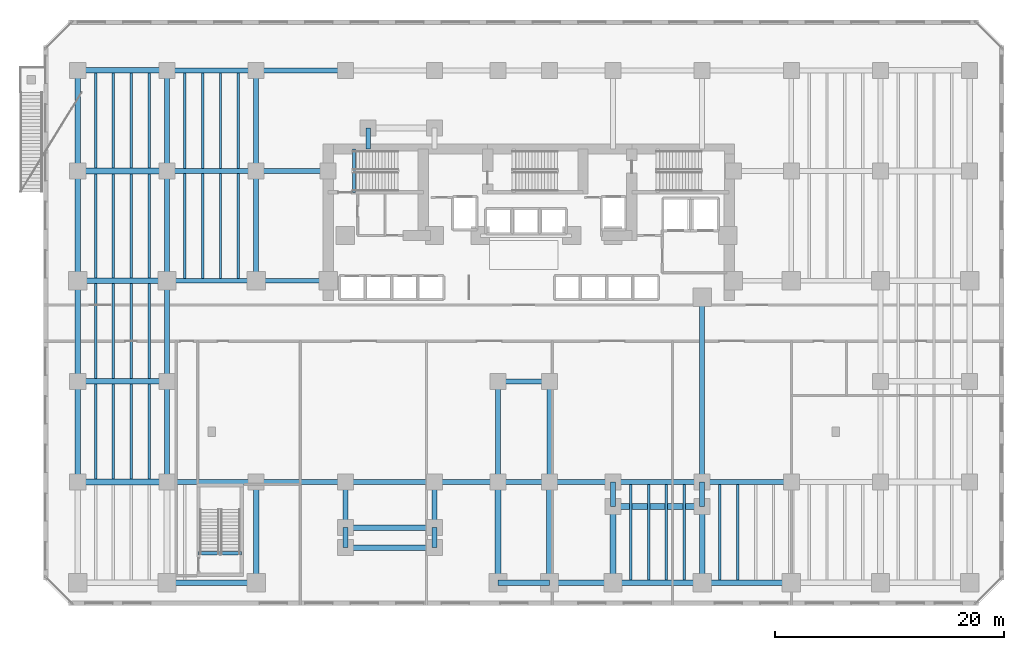
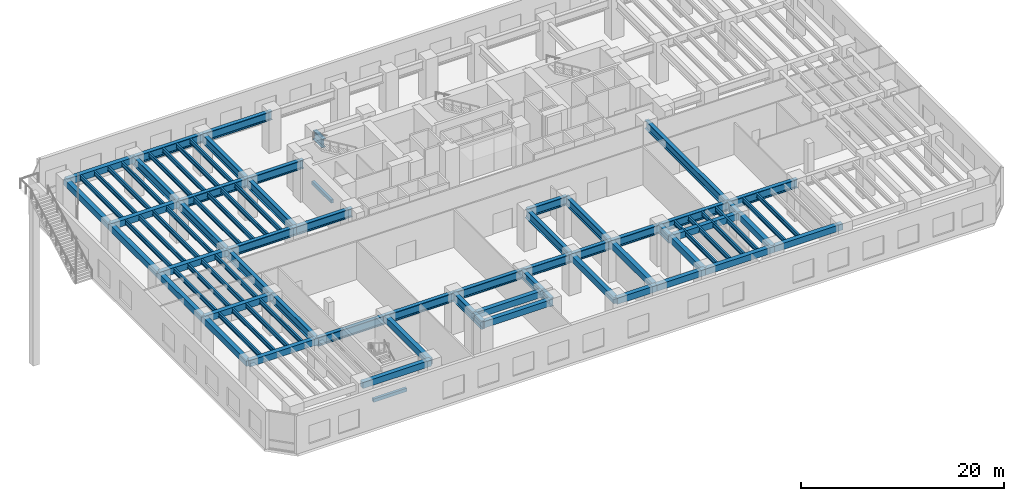
# One storey, part 3 of 20: 85 beams.
"""IFC4 building model written with IfcOpenShell, lengths in metres."""

from ifc_helpers import new_model, si_unit, direction, frame, origin, origin_2d, place, context, subcontext, project, spatial, rectangle, i_section, extrude, material, material_profile, profile_set, type_object, element, save


model = new_model("IFC4")

# Units and contexts
model_context = context("Model", 3, precision=1e-05, world=origin(), true_north=direction((0.0, 1.0)))
body_context = subcontext(model_context, "Body", "Model", "MODEL_VIEW")
ifc_project = project(units=[si_unit("LENGTHUNIT", "METRE"), si_unit("AREAUNIT", "SQUARE_METRE"), si_unit("VOLUMEUNIT", "CUBIC_METRE"), si_unit("PLANEANGLEUNIT", "RADIAN"), si_unit("MASSUNIT", "GRAM", prefix="KILO")], contexts=[model_context])

# Site, building, storey
site_placement = place(None, origin())
site = spatial("IfcSite", under=ifc_project, at=site_placement, CompositionType="ELEMENT")
building_placement = place(site_placement, origin())
building = spatial("IfcBuilding", under=site, at=building_placement, Name="Kestravale Grand Hotel", CompositionType="ELEMENT")
storey_placement = place(building_placement, frame((0.0, 0.0, 15.800048828125)))
storey = spatial("IfcBuildingStorey", under=building, at=storey_placement, Name="L03", CompositionType="ELEMENT", Elevation=15.800048828125)

# Beams
ifc_material_1 = material(Name="Steel ASTM A992 Grade 50", Category="steel")
ifc_material_profile_1 = material_profile(ifc_material_1, i_section(OverallWidth=0.2099609375, OverallDepth=0.535888671875, WebThickness=0.010986328125, FlangeThickness=0.017333984375, FilletRadius=0.017578125, at=origin_2d()))
ifc_profile_set_1 = profile_set([ifc_material_profile_1], Name="Steel ASTM A992 Grade 50")
beam_type_1 = type_object("IfcBeamType", Name="B-FLR-JST21", PredefinedType="JOIST", material=ifc_profile_set_1)
for number, where, z_axis, x_axis, name in (
    (1, (1.56005859375, 11.449951171875, 4.31201171875), (0.0, 1.0, 0.0), (-1.0, 0.0, 0.0), "L03 floor joist 1-2/C-D #1"),
    (2, (3.1201171875, 11.449951171875, 4.31201171875), (0.0, 1.0, 0.0), (-1.0, 0.0, 0.0), "L03 floor joist 1-2/C-D #2"),
    (3, (4.679931640625, 11.449951171875, 4.31201171875), (0.0, 1.0, 0.0), (-1.0, 0.0, 0.0), "L03 floor joist 1-2/C-D #3"),
    (4, (6.239990234375, 11.449951171875, 4.31201171875), (0.0, 1.0, 0.0), (-1.0, 0.0, 0.0), "L03 floor joist 1-2/C-D #4"),
    (5, (1.56005859375, 20.25, 4.31201171875), (0.0, 1.0, 0.0), (-1.0, 0.0, 0.0), "L03 floor joist 1-2/D-E #1"),
    (6, (3.1201171875, 20.25, 4.31201171875), (0.0, 1.0, 0.0), (-1.0, 0.0, 0.0), "L03 floor joist 1-2/D-E #2"),
    (7, (4.679931640625, 20.25, 4.31201171875), (0.0, 1.0, 0.0), (-1.0, 0.0, 0.0), "L03 floor joist 1-2/D-E #3"),
    (8, (6.239990234375, 20.25, 4.31201171875), (0.0, 1.0, 0.0), (-1.0, 0.0, 0.0), "L03 floor joist 1-2/D-E #4"),
):
    element("IfcBeam", number, at=place(storey_placement, frame(where, z_axis=z_axis, x_axis=x_axis)), inside=storey, type_object=beam_type_1, Name=name, PredefinedType="JOIST", context=body_context, shape_type="SweptSolid", body=[
        extrude(i_section(OverallWidth=0.2099609375, OverallDepth=0.535888671875, WebThickness=0.010986328125, FlangeThickness=0.017333984375, FilletRadius=0.017578125, at=origin_2d()), origin(), (0.0, 0.0, 1.0), 8.300048828125),
    ])
for number, where, z_axis, x_axis, name in (
    (9, (1.56005859375, 29.050048828125, 4.31201171875), (0.0, 1.0, 0.0), (-1.0, 0.0, 0.0), "L03 floor joist 1-2/E-F #1"),
    (10, (3.1201171875, 29.050048828125, 4.31201171875), (0.0, 1.0, 0.0), (-1.0, 0.0, 0.0), "L03 floor joist 1-2/E-F #2"),
    (11, (4.679931640625, 29.050048828125, 4.31201171875), (0.0, 1.0, 0.0), (-1.0, 0.0, 0.0), "L03 floor joist 1-2/E-F #3"),
    (12, (6.239990234375, 29.050048828125, 4.31201171875), (0.0, 1.0, 0.0), (-1.0, 0.0, 0.0), "L03 floor joist 1-2/E-F #4"),
):
    element("IfcBeam", number, at=place(storey_placement, frame(where, z_axis=z_axis, x_axis=x_axis)), inside=storey, type_object=beam_type_1, Name=name, PredefinedType="JOIST", context=body_context, shape_type="SweptSolid", body=[
        extrude(i_section(OverallWidth=0.2099609375, OverallDepth=0.535888671875, WebThickness=0.010986328125, FlangeThickness=0.017333984375, FilletRadius=0.017578125, at=origin_2d()), origin(), (0.0, 0.0, 1.0), 9.099853515625),
    ])
for number, where, z_axis, x_axis, name in (
    (13, (1.56005859375, 38.64990234375, 4.31201171875), (0.0, 1.0, 0.0), (-1.0, 0.0, 0.0), "L03 floor joist 1-2/F-G #1"),
    (14, (3.1201171875, 38.64990234375, 4.31201171875), (0.0, 1.0, 0.0), (-1.0, 0.0, 0.0), "L03 floor joist 1-2/F-G #2"),
    (15, (4.679931640625, 38.64990234375, 4.31201171875), (0.0, 1.0, 0.0), (-1.0, 0.0, 0.0), "L03 floor joist 1-2/F-G #3"),
    (16, (6.239990234375, 38.64990234375, 4.31201171875), (0.0, 1.0, 0.0), (-1.0, 0.0, 0.0), "L03 floor joist 1-2/F-G #4"),
):
    element("IfcBeam", number, at=place(storey_placement, frame(where, z_axis=z_axis, x_axis=x_axis)), inside=storey, type_object=beam_type_1, Name=name, PredefinedType="JOIST", context=body_context, shape_type="SweptSolid", body=[
        extrude(i_section(OverallWidth=0.2099609375, OverallDepth=0.535888671875, WebThickness=0.010986328125, FlangeThickness=0.017333984375, FilletRadius=0.017578125, at=origin_2d()), origin(), (0.0, 0.0, 1.0), 8.300048828125),
    ])
for number, where, z_axis, x_axis, name in (
    (17, (9.360107421875, 29.013427734375, 4.31201171875), (0.0, 1.0, 0.0), (-1.0, 0.0, 0.0), "L03 floor joist 2-3/E-F #1"),
    (18, (10.919921875, 29.013427734375, 4.31201171875), (0.0, 1.0, 0.0), (-1.0, 0.0, 0.0), "L03 floor joist 2-3/E-F #2"),
    (19, (12.47998046875, 29.013427734375, 4.31201171875), (0.0, 1.0, 0.0), (-1.0, 0.0, 0.0), "L03 floor joist 2-3/E-F #3"),
    (20, (14.0400390625, 29.013427734375, 4.31201171875), (0.0, 1.0, 0.0), (-1.0, 0.0, 0.0), "L03 floor joist 2-3/E-F #4"),
):
    element("IfcBeam", number, at=place(storey_placement, frame(where, z_axis=z_axis, x_axis=x_axis)), inside=storey, type_object=beam_type_1, Name=name, PredefinedType="JOIST", context=body_context, shape_type="SweptSolid", body=[
        extrude(i_section(OverallWidth=0.2099609375, OverallDepth=0.535888671875, WebThickness=0.010986328125, FlangeThickness=0.017333984375, FilletRadius=0.017578125, at=origin_2d()), origin(), (0.0, 0.0, 1.0), 9.173095703125),
    ])
for number, where, z_axis, x_axis, name in (
    (21, (9.360107421875, 38.613525390625, 4.31201171875), (0.0, 1.0, 0.0), (-1.0, 0.0, 0.0), "L03 floor joist 2-3/F-G #1"),
    (22, (10.919921875, 38.613525390625, 4.31201171875), (0.0, 1.0, 0.0), (-1.0, 0.0, 0.0), "L03 floor joist 2-3/F-G #2"),
    (23, (12.47998046875, 38.613525390625, 4.31201171875), (0.0, 1.0, 0.0), (-1.0, 0.0, 0.0), "L03 floor joist 2-3/F-G #3"),
    (24, (14.0400390625, 38.613525390625, 4.31201171875), (0.0, 1.0, 0.0), (-1.0, 0.0, 0.0), "L03 floor joist 2-3/F-G #4"),
):
    element("IfcBeam", number, at=place(storey_placement, frame(where, z_axis=z_axis, x_axis=x_axis)), inside=storey, type_object=beam_type_1, Name=name, PredefinedType="JOIST", context=body_context, shape_type="SweptSolid", body=[
        extrude(i_section(OverallWidth=0.2099609375, OverallDepth=0.535888671875, WebThickness=0.010986328125, FlangeThickness=0.017333984375, FilletRadius=0.017578125, at=origin_2d()), origin(), (0.0, 0.0, 1.0), 8.373046875),
    ])
for number, where, z_axis, x_axis, name in (
    (25, (48.360107421875, 2.64990234375, 4.31201171875), (0.0, 1.0, 0.0), (-1.0, 0.0, 0.0), "L03 floor joist 8-9/B-C #1"),
    (26, (49.919921875, 2.64990234375, 4.31201171875), (0.0, 1.0, 0.0), (-1.0, 0.0, 0.0), "L03 floor joist 8-9/B-C #2"),
    (27, (51.47998046875, 2.64990234375, 4.31201171875), (0.0, 1.0, 0.0), (-1.0, 0.0, 0.0), "L03 floor joist 8-9/B-C #3"),
    (28, (53.0400390625, 2.64990234375, 4.31201171875), (0.0, 1.0, 0.0), (-1.0, 0.0, 0.0), "L03 floor joist 8-9/B-C #4"),
    (29, (56.159912109375, 2.64990234375, 4.31201171875), (0.0, 1.0, 0.0), (-1.0, 0.0, 0.0), "L03 floor joist 9-10/B-C #1"),
    (30, (57.719970703125, 2.64990234375, 4.31201171875), (0.0, 1.0, 0.0), (-1.0, 0.0, 0.0), "L03 floor joist 9-10/B-C #2"),
):
    element("IfcBeam", number, at=place(storey_placement, frame(where, z_axis=z_axis, x_axis=x_axis)), inside=storey, type_object=beam_type_1, Name=name, PredefinedType="JOIST", context=body_context, shape_type="SweptSolid", body=[
        extrude(i_section(OverallWidth=0.2099609375, OverallDepth=0.535888671875, WebThickness=0.010986328125, FlangeThickness=0.017333984375, FilletRadius=0.017578125, at=origin_2d()), origin(), (0.0, 0.0, 1.0), 8.336669921875),
    ])
ifc_material_2 = material(Name="Concrete f'c 45 MPa", Category="concrete")
ifc_material_profile_2 = material_profile(ifc_material_2, rectangle(XDim=0.300048828125, YDim=0.39990234375, at=origin_2d()))
ifc_profile_set_2 = profile_set([ifc_material_profile_2], Name="Concrete f'c 45 MPa")
beam_type_2 = type_object("IfcBeamType", Name="B-FLR-LNT400", PredefinedType="LINTEL", material=ifc_profile_set_2)
beam_1_placement = place(storey_placement, frame((24.159912109375, 36.52001953125, -0.199951171875), z_axis=(0.0, 1.0, 0.0), x_axis=(-1.0, 0.0, 0.0)))
element("IfcBeam", 31, at=beam_1_placement, inside=storey, type_object=beam_type_2, Name="L03 ST1 flight bottom header beam", PredefinedType="LINTEL", context=body_context, shape_type="SweptSolid", body=[
    extrude(rectangle(XDim=0.300048828125, YDim=0.39990234375, at=origin_2d()), origin(), (0.0, 0.0, 1.0), 3.800048828125),
])
beam_2_placement = place(storey_placement, frame((10.56005859375, 4.9599609375, -0.199951171875), z_axis=(1.0, 0.0, 0.0), x_axis=(0.0, 1.0, 0.0)))
element("IfcBeam", 32, at=beam_2_placement, inside=storey, type_object=beam_type_2, Name="L03 ST4 flight bottom header beam", PredefinedType="LINTEL", context=body_context, shape_type="SweptSolid", body=[
    extrude(rectangle(XDim=0.300048828125, YDim=0.39990234375, at=origin_2d()), origin(), (0.0, 0.0, 1.0), 3.77001953125),
])
ifc_material_3 = material(Name="Concrete f'c 45 MPa", Category="concrete")
ifc_material_profile_3 = material_profile(ifc_material_3, rectangle(XDim=0.5, YDim=0.75, at=origin_2d()))
ifc_profile_set_3 = profile_set([ifc_material_profile_3], Name="Concrete f'c 45 MPa")
beam_type_3 = type_object("IfcBeamType", Name="B-FLR-RC750", PredefinedType="SPANDREL", material=ifc_profile_set_3)
beam_3_placement = place(storey_placement, frame((7.800048828125, 2.39990234375, 4.204833984375), z_axis=(1.0, 0.0, 0.0), x_axis=(0.0, 1.0, 0.0)))
element("IfcBeam", 33, at=beam_3_placement, inside=storey, type_object=beam_type_3, Name="L03 spandrel B:2-3", PredefinedType="SPANDREL", context=body_context, shape_type="SweptSolid", body=[
    extrude(rectangle(XDim=0.5, YDim=0.75, at=origin_2d()), origin(), (0.0, 0.0, 1.0), 7.800048828125),
])
beam_4_placement = place(storey_placement, frame((36.75, 2.39990234375, 4.204833984375), z_axis=(1.0, 0.0, 0.0), x_axis=(0.0, 1.0, 0.0)))
element("IfcBeam", 34, at=beam_4_placement, inside=storey, type_object=beam_type_3, Name="L03 spandrel B:6-7", PredefinedType="SPANDREL", context=body_context, shape_type="SweptSolid", body=[
    extrude(rectangle(XDim=0.5, YDim=0.75, at=origin_2d()), origin(), (0.0, 0.0, 1.0), 4.5),
])
beam_5_placement = place(storey_placement, frame((41.25, 2.39990234375, 4.204833984375), z_axis=(1.0, 0.0, 0.0), x_axis=(0.0, 1.0, 0.0)))
element("IfcBeam", 35, at=beam_5_placement, inside=storey, type_object=beam_type_3, Name="L03 spandrel B:7-8", PredefinedType="SPANDREL", context=body_context, shape_type="SweptSolid", body=[
    extrude(rectangle(XDim=0.5, YDim=0.75, at=origin_2d()), origin(), (0.0, 0.0, 1.0), 5.550048828125),
])
beam_6_placement = place(storey_placement, frame((46.800048828125, 2.39990234375, 4.204833984375), z_axis=(1.0, 0.0, 0.0), x_axis=(0.0, 1.0, 0.0)))
element("IfcBeam", 36, at=beam_6_placement, inside=storey, type_object=beam_type_3, Name="L03 spandrel B:8-9", PredefinedType="SPANDREL", context=body_context, shape_type="SweptSolid", body=[
    extrude(rectangle(XDim=0.5, YDim=0.75, at=origin_2d()), origin(), (0.0, 0.0, 1.0), 7.800048828125),
])
beam_7_placement = place(storey_placement, frame((54.60009765625, 2.39990234375, 4.204833984375), z_axis=(1.0, 0.0, 0.0), x_axis=(0.0, 1.0, 0.0)))
element("IfcBeam", 37, at=beam_7_placement, inside=storey, type_object=beam_type_3, Name="L03 spandrel B:9-10", PredefinedType="SPANDREL", context=body_context, shape_type="SweptSolid", body=[
    extrude(rectangle(XDim=0.5, YDim=0.75, at=origin_2d()), origin(), (0.0, 0.0, 1.0), 7.7998046875),
])
for number, where, z_axis, x_axis, name in (
    (38, (0.0, 11.199951171875, 4.204833984375), (1.0, 0.0, 0.0), (0.0, 1.0, 0.0), "L03 spandrel C:1-2"),
    (39, (0.0, 20.0, 4.204833984375), (1.0, 0.0, 0.0), (0.0, 1.0, 0.0), "L03 spandrel D:1-2"),
    (40, (0.0, 28.800048828125, 4.204833984375), (1.0, 0.0, 0.0), (0.0, 1.0, 0.0), "L03 spandrel E:1-2"),
    (41, (0.0, 38.39990234375, 4.204833984375), (1.0, 0.0, 0.0), (0.0, 1.0, 0.0), "L03 spandrel F:1-2"),
    (42, (0.0, 47.199951171875, 4.204833984375), (1.0, 0.0, 0.0), (0.0, 1.0, 0.0), "L03 spandrel G:1-2"),
    (43, (23.39990234375, 5.449951171875, 4.204833984375), (1.0, 0.0, 0.0), (0.0, 1.0, 0.0), "L03 perimeter tie spandrel B1S:4-5"),
    (44, (46.800048828125, 9.050048828125, 4.204833984375), (1.0, 0.0, 0.0), (0.0, 1.0, 0.0), "L03 perimeter tie spandrel B1E:8-9"),
    (45, (23.39990234375, 7.199951171875, 4.204833984375), (1.0, 0.0, 0.0), (0.0, 1.0, 0.0), "L03 perimeter tie spandrel BS:4-5"),
):
    element("IfcBeam", number, at=place(storey_placement, frame(where, z_axis=z_axis, x_axis=x_axis)), inside=storey, type_object=beam_type_3, Name=name, PredefinedType="SPANDREL", context=body_context, shape_type="SweptSolid", body=[
        extrude(rectangle(XDim=0.5, YDim=0.75, at=origin_2d()), origin(), (0.0, 0.0, 1.0), 7.800048828125),
    ])
for number, where, z_axis, x_axis, name in (
    (46, (0.0, 11.199951171875, 4.204833984375), (0.0, 1.0, 0.0), (-1.0, 0.0, 0.0), "L03 spandrel 1:C-D"),
    (47, (0.0, 20.0, 4.204833984375), (0.0, 1.0, 0.0), (-1.0, 0.0, 0.0), "L03 spandrel 1:D-E"),
):
    element("IfcBeam", number, at=place(storey_placement, frame(where, z_axis=z_axis, x_axis=x_axis)), inside=storey, type_object=beam_type_3, Name=name, PredefinedType="SPANDREL", context=body_context, shape_type="SweptSolid", body=[
        extrude(rectangle(XDim=0.5, YDim=0.75, at=origin_2d()), origin(), (0.0, 0.0, 1.0), 8.800048828125),
    ])
beam_8_placement = place(storey_placement, frame((0.0, 28.800048828125, 4.204833984375), z_axis=(0.0, 1.0, 0.0), x_axis=(-1.0, 0.0, 0.0)))
element("IfcBeam", 48, at=beam_8_placement, inside=storey, type_object=beam_type_3, Name="L03 spandrel 1:E-F", PredefinedType="SPANDREL", context=body_context, shape_type="SweptSolid", body=[
    extrude(rectangle(XDim=0.5, YDim=0.75, at=origin_2d()), origin(), (0.0, 0.0, 1.0), 9.599853515625),
])
for number, where, z_axis, x_axis, name in (
    (49, (0.0, 38.39990234375, 4.204833984375), (0.0, 1.0, 0.0), (-1.0, 0.0, 0.0), "L03 spandrel 1:F-G"),
    (50, (15.60009765625, 2.39990234375, 4.204833984375), (0.0, 1.0, 0.0), (-1.0, 0.0, 0.0), "L03 spandrel 3:B-C"),
    (51, (36.75, 2.39990234375, 4.204833984375), (0.0, 1.0, 0.0), (-1.0, 0.0, 0.0), "L03 spandrel 6:B-C"),
    (52, (41.25, 2.39990234375, 4.204833984375), (0.0, 1.0, 0.0), (-1.0, 0.0, 0.0), "L03 spandrel 7:B-C"),
):
    element("IfcBeam", number, at=place(storey_placement, frame(where, z_axis=z_axis, x_axis=x_axis)), inside=storey, type_object=beam_type_3, Name=name, PredefinedType="SPANDREL", context=body_context, shape_type="SweptSolid", body=[
        extrude(rectangle(XDim=0.5, YDim=0.75, at=origin_2d()), origin(), (0.0, 0.0, 1.0), 8.800048828125),
    ])
for number, where, z_axis, x_axis, name in (
    (53, (46.800048828125, 2.39990234375, 4.204833984375), (0.0, 1.0, 0.0), (-1.0, 0.0, 0.0), "L03 spandrel 8:B-B1E"),
    (54, (54.60009765625, 2.39990234375, 4.204833984375), (0.0, 1.0, 0.0), (-1.0, 0.0, 0.0), "L03 spandrel 9:B-B1E"),
):
    element("IfcBeam", number, at=place(storey_placement, frame(where, z_axis=z_axis, x_axis=x_axis)), inside=storey, type_object=beam_type_3, Name=name, PredefinedType="SPANDREL", context=body_context, shape_type="SweptSolid", body=[
        extrude(rectangle(XDim=0.5, YDim=0.75, at=origin_2d()), origin(), (0.0, 0.0, 1.0), 6.650146484375),
    ])
ifc_material_4 = material(Name="Steel ASTM A992 Grade 50", Category="steel")
ifc_material_profile_4 = material_profile(ifc_material_4, i_section(OverallWidth=0.427001953125, OverallDepth=1.0400390625, WebThickness=0.031005859375, FlangeThickness=0.055908203125, FilletRadius=0.028076171875, at=origin_2d()))
ifc_profile_set_4 = profile_set([ifc_material_profile_4], Name="Steel ASTM A992 Grade 50")
beam_type_4 = type_object("IfcBeamType", Name="B-GRD-W40", PredefinedType="BEAM", material=ifc_profile_set_4)
beam_9_placement = place(storey_placement, frame((7.800048828125, 11.199951171875, 4.06005859375), z_axis=(1.0, 0.0, 0.0), x_axis=(0.0, 1.0, 0.0)))
element("IfcBeam", 55, at=beam_9_placement, inside=storey, type_object=beam_type_4, Name="L03 girder C:2-3", PredefinedType="BEAM", context=body_context, shape_type="SweptSolid", body=[
    extrude(i_section(OverallWidth=0.427001953125, OverallDepth=1.0400390625, WebThickness=0.031005859375, FlangeThickness=0.055908203125, FilletRadius=0.028076171875, at=origin_2d()), origin(), (0.0, 0.0, 1.0), 7.800048828125),
])
beam_10_placement = place(storey_placement, frame((15.60009765625, 11.199951171875, 4.06005859375), z_axis=(1.0, 0.0, 0.0), x_axis=(0.0, 1.0, 0.0)))
element("IfcBeam", 56, at=beam_10_placement, inside=storey, type_object=beam_type_4, Name="L03 girder C:3-4", PredefinedType="BEAM", context=body_context, shape_type="SweptSolid", body=[
    extrude(i_section(OverallWidth=0.427001953125, OverallDepth=1.0400390625, WebThickness=0.031005859375, FlangeThickness=0.055908203125, FilletRadius=0.028076171875, at=origin_2d()), origin(), (0.0, 0.0, 1.0), 7.7998046875),
])
beam_11_placement = place(storey_placement, frame((23.39990234375, 11.199951171875, 4.06005859375), z_axis=(1.0, 0.0, 0.0), x_axis=(0.0, 1.0, 0.0)))
element("IfcBeam", 57, at=beam_11_placement, inside=storey, type_object=beam_type_4, Name="L03 girder C:4-5", PredefinedType="BEAM", context=body_context, shape_type="SweptSolid", body=[
    extrude(i_section(OverallWidth=0.427001953125, OverallDepth=1.0400390625, WebThickness=0.031005859375, FlangeThickness=0.055908203125, FilletRadius=0.028076171875, at=origin_2d()), origin(), (0.0, 0.0, 1.0), 7.800048828125),
])
beam_12_placement = place(storey_placement, frame((31.199951171875, 11.199951171875, 4.06005859375), z_axis=(1.0, 0.0, 0.0), x_axis=(0.0, 1.0, 0.0)))
element("IfcBeam", 58, at=beam_12_placement, inside=storey, type_object=beam_type_4, Name="L03 girder C:5-6", PredefinedType="BEAM", context=body_context, shape_type="SweptSolid", body=[
    extrude(i_section(OverallWidth=0.427001953125, OverallDepth=1.0400390625, WebThickness=0.031005859375, FlangeThickness=0.055908203125, FilletRadius=0.028076171875, at=origin_2d()), origin(), (0.0, 0.0, 1.0), 5.550048828125),
])
beam_13_placement = place(storey_placement, frame((36.75, 11.199951171875, 4.06005859375), z_axis=(1.0, 0.0, 0.0), x_axis=(0.0, 1.0, 0.0)))
element("IfcBeam", 59, at=beam_13_placement, inside=storey, type_object=beam_type_4, Name="L03 girder C:6-7", PredefinedType="BEAM", context=body_context, shape_type="SweptSolid", body=[
    extrude(i_section(OverallWidth=0.427001953125, OverallDepth=1.0400390625, WebThickness=0.031005859375, FlangeThickness=0.055908203125, FilletRadius=0.028076171875, at=origin_2d()), origin(), (0.0, 0.0, 1.0), 4.5),
])
beam_14_placement = place(storey_placement, frame((41.25, 11.199951171875, 4.06005859375), z_axis=(1.0, 0.0, 0.0), x_axis=(0.0, 1.0, 0.0)))
element("IfcBeam", 60, at=beam_14_placement, inside=storey, type_object=beam_type_4, Name="L03 girder C:7-8", PredefinedType="BEAM", context=body_context, shape_type="SweptSolid", body=[
    extrude(i_section(OverallWidth=0.427001953125, OverallDepth=1.0400390625, WebThickness=0.031005859375, FlangeThickness=0.055908203125, FilletRadius=0.028076171875, at=origin_2d()), origin(), (0.0, 0.0, 1.0), 5.550048828125),
])
beam_15_placement = place(storey_placement, frame((46.800048828125, 11.199951171875, 4.06005859375), z_axis=(1.0, 0.0, 0.0), x_axis=(0.0, 1.0, 0.0)))
element("IfcBeam", 61, at=beam_15_placement, inside=storey, type_object=beam_type_4, Name="L03 girder C:8-9", PredefinedType="BEAM", context=body_context, shape_type="SweptSolid", body=[
    extrude(i_section(OverallWidth=0.427001953125, OverallDepth=1.0400390625, WebThickness=0.031005859375, FlangeThickness=0.055908203125, FilletRadius=0.028076171875, at=origin_2d()), origin(), (0.0, 0.0, 1.0), 7.800048828125),
])
beam_16_placement = place(storey_placement, frame((54.60009765625, 11.199951171875, 4.06005859375), z_axis=(1.0, 0.0, 0.0), x_axis=(0.0, 1.0, 0.0)))
element("IfcBeam", 62, at=beam_16_placement, inside=storey, type_object=beam_type_4, Name="L03 girder C:9-10", PredefinedType="BEAM", context=body_context, shape_type="SweptSolid", body=[
    extrude(i_section(OverallWidth=0.427001953125, OverallDepth=1.0400390625, WebThickness=0.031005859375, FlangeThickness=0.055908203125, FilletRadius=0.028076171875, at=origin_2d()), origin(), (0.0, 0.0, 1.0), 7.7998046875),
])
beam_17_placement = place(storey_placement, frame((36.75, 20.0, 4.06005859375), z_axis=(1.0, 0.0, 0.0), x_axis=(0.0, 1.0, 0.0)))
element("IfcBeam", 63, at=beam_17_placement, inside=storey, type_object=beam_type_4, Name="L03 girder D:6-7", PredefinedType="BEAM", context=body_context, shape_type="SweptSolid", body=[
    extrude(i_section(OverallWidth=0.427001953125, OverallDepth=1.0400390625, WebThickness=0.031005859375, FlangeThickness=0.055908203125, FilletRadius=0.028076171875, at=origin_2d()), origin(), (0.0, 0.0, 1.0), 4.5),
])
beam_18_placement = place(storey_placement, frame((7.800048828125, 28.800048828125, 4.06005859375), z_axis=(1.0, 0.0, 0.0), x_axis=(0.0, 1.0, 0.0)))
element("IfcBeam", 64, at=beam_18_placement, inside=storey, type_object=beam_type_4, Name="L03 girder E:2-3", PredefinedType="BEAM", context=body_context, shape_type="SweptSolid", body=[
    extrude(i_section(OverallWidth=0.427001953125, OverallDepth=1.0400390625, WebThickness=0.031005859375, FlangeThickness=0.055908203125, FilletRadius=0.028076171875, at=origin_2d()), origin(), (0.0, 0.0, 1.0), 7.800048828125),
])
beam_19_placement = place(storey_placement, frame((15.60009765625, 28.800048828125, 4.06005859375), z_axis=(1.0, 0.0, 0.0), x_axis=(0.0, 1.0, 0.0)))
element("IfcBeam", 65, at=beam_19_placement, inside=storey, type_object=beam_type_4, Name="L03 girder E:3-CW", PredefinedType="BEAM", context=body_context, shape_type="SweptSolid", body=[
    extrude(i_section(OverallWidth=0.427001953125, OverallDepth=1.0400390625, WebThickness=0.031005859375, FlangeThickness=0.055908203125, FilletRadius=0.028076171875, at=origin_2d()), origin(), (0.0, 0.0, 1.0), 6.2998046875),
])
beam_20_placement = place(storey_placement, frame((7.800048828125, 38.39990234375, 4.06005859375), z_axis=(1.0, 0.0, 0.0), x_axis=(0.0, 1.0, 0.0)))
element("IfcBeam", 66, at=beam_20_placement, inside=storey, type_object=beam_type_4, Name="L03 girder F:2-3", PredefinedType="BEAM", context=body_context, shape_type="SweptSolid", body=[
    extrude(i_section(OverallWidth=0.427001953125, OverallDepth=1.0400390625, WebThickness=0.031005859375, FlangeThickness=0.055908203125, FilletRadius=0.028076171875, at=origin_2d()), origin(), (0.0, 0.0, 1.0), 7.800048828125),
])
beam_21_placement = place(storey_placement, frame((15.60009765625, 38.39990234375, 4.06005859375), z_axis=(1.0, 0.0, 0.0), x_axis=(0.0, 1.0, 0.0)))
element("IfcBeam", 67, at=beam_21_placement, inside=storey, type_object=beam_type_4, Name="L03 girder F:3-CW", PredefinedType="BEAM", context=body_context, shape_type="SweptSolid", body=[
    extrude(i_section(OverallWidth=0.427001953125, OverallDepth=1.0400390625, WebThickness=0.031005859375, FlangeThickness=0.055908203125, FilletRadius=0.028076171875, at=origin_2d()), origin(), (0.0, 0.0, 1.0), 6.2998046875),
])
beam_22_placement = place(storey_placement, frame((7.800048828125, 47.199951171875, 4.06005859375), z_axis=(1.0, 0.0, 0.0), x_axis=(0.0, 1.0, 0.0)))
element("IfcBeam", 68, at=beam_22_placement, inside=storey, type_object=beam_type_4, Name="L03 girder G:2-3", PredefinedType="BEAM", context=body_context, shape_type="SweptSolid", body=[
    extrude(i_section(OverallWidth=0.427001953125, OverallDepth=1.0400390625, WebThickness=0.031005859375, FlangeThickness=0.055908203125, FilletRadius=0.028076171875, at=origin_2d()), origin(), (0.0, 0.0, 1.0), 7.800048828125),
])
beam_23_placement = place(storey_placement, frame((15.60009765625, 47.199951171875, 4.06005859375), z_axis=(1.0, 0.0, 0.0), x_axis=(0.0, 1.0, 0.0)))
element("IfcBeam", 69, at=beam_23_placement, inside=storey, type_object=beam_type_4, Name="L03 girder G:3-4", PredefinedType="BEAM", context=body_context, shape_type="SweptSolid", body=[
    extrude(i_section(OverallWidth=0.427001953125, OverallDepth=1.0400390625, WebThickness=0.031005859375, FlangeThickness=0.055908203125, FilletRadius=0.028076171875, at=origin_2d()), origin(), (0.0, 0.0, 1.0), 7.7998046875),
])
for number, where, z_axis, x_axis, name in (
    (70, (7.800048828125, 11.199951171875, 4.06005859375), (0.0, 1.0, 0.0), (-1.0, 0.0, 0.0), "L03 girder 2:C-D"),
    (71, (7.800048828125, 20.0, 4.06005859375), (0.0, 1.0, 0.0), (-1.0, 0.0, 0.0), "L03 girder 2:D-E"),
):
    element("IfcBeam", number, at=place(storey_placement, frame(where, z_axis=z_axis, x_axis=x_axis)), inside=storey, type_object=beam_type_4, Name=name, PredefinedType="BEAM", context=body_context, shape_type="SweptSolid", body=[
        extrude(i_section(OverallWidth=0.427001953125, OverallDepth=1.0400390625, WebThickness=0.031005859375, FlangeThickness=0.055908203125, FilletRadius=0.028076171875, at=origin_2d()), origin(), (0.0, 0.0, 1.0), 8.800048828125),
    ])
beam_24_placement = place(storey_placement, frame((7.800048828125, 28.800048828125, 4.06005859375), z_axis=(0.0, 1.0, 0.0), x_axis=(-1.0, 0.0, 0.0)))
element("IfcBeam", 72, at=beam_24_placement, inside=storey, type_object=beam_type_4, Name="L03 girder 2:E-F", PredefinedType="BEAM", context=body_context, shape_type="SweptSolid", body=[
    extrude(i_section(OverallWidth=0.427001953125, OverallDepth=1.0400390625, WebThickness=0.031005859375, FlangeThickness=0.055908203125, FilletRadius=0.028076171875, at=origin_2d()), origin(), (0.0, 0.0, 1.0), 9.599853515625),
])
beam_25_placement = place(storey_placement, frame((7.800048828125, 38.39990234375, 4.06005859375), z_axis=(0.0, 1.0, 0.0), x_axis=(-1.0, 0.0, 0.0)))
element("IfcBeam", 73, at=beam_25_placement, inside=storey, type_object=beam_type_4, Name="L03 girder 2:F-G", PredefinedType="BEAM", context=body_context, shape_type="SweptSolid", body=[
    extrude(i_section(OverallWidth=0.427001953125, OverallDepth=1.0400390625, WebThickness=0.031005859375, FlangeThickness=0.055908203125, FilletRadius=0.028076171875, at=origin_2d()), origin(), (0.0, 0.0, 1.0), 8.800048828125),
])
beam_26_placement = place(storey_placement, frame((15.60009765625, 28.800048828125, 4.06005859375), z_axis=(0.0, 1.0, 0.0), x_axis=(-1.0, 0.0, 0.0)))
element("IfcBeam", 74, at=beam_26_placement, inside=storey, type_object=beam_type_4, Name="L03 girder 3:E-F", PredefinedType="BEAM", context=body_context, shape_type="SweptSolid", body=[
    extrude(i_section(OverallWidth=0.427001953125, OverallDepth=1.0400390625, WebThickness=0.031005859375, FlangeThickness=0.055908203125, FilletRadius=0.028076171875, at=origin_2d()), origin(), (0.0, 0.0, 1.0), 9.599853515625),
])
beam_27_placement = place(storey_placement, frame((15.60009765625, 38.39990234375, 4.06005859375), z_axis=(0.0, 1.0, 0.0), x_axis=(-1.0, 0.0, 0.0)))
element("IfcBeam", 75, at=beam_27_placement, inside=storey, type_object=beam_type_4, Name="L03 girder 3:F-G", PredefinedType="BEAM", context=body_context, shape_type="SweptSolid", body=[
    extrude(i_section(OverallWidth=0.427001953125, OverallDepth=1.0400390625, WebThickness=0.031005859375, FlangeThickness=0.055908203125, FilletRadius=0.028076171875, at=origin_2d()), origin(), (0.0, 0.0, 1.0), 8.800048828125),
])
beam_28_placement = place(storey_placement, frame((23.39990234375, 5.449951171875, 4.06005859375), z_axis=(0.0, 1.0, 0.0), x_axis=(-1.0, 0.0, 0.0)))
element("IfcBeam", 76, at=beam_28_placement, inside=storey, type_object=beam_type_4, Name="L03 girder 4:B1S-BS", PredefinedType="BEAM", context=body_context, shape_type="SweptSolid", body=[
    extrude(i_section(OverallWidth=0.427001953125, OverallDepth=1.0400390625, WebThickness=0.031005859375, FlangeThickness=0.055908203125, FilletRadius=0.028076171875, at=origin_2d()), origin(), (0.0, 0.0, 1.0), 1.75),
])
beam_29_placement = place(storey_placement, frame((23.39990234375, 7.199951171875, 4.06005859375), z_axis=(0.0, 1.0, 0.0), x_axis=(-1.0, 0.0, 0.0)))
element("IfcBeam", 77, at=beam_29_placement, inside=storey, type_object=beam_type_4, Name="L03 girder 4:BS-C", PredefinedType="BEAM", context=body_context, shape_type="SweptSolid", body=[
    extrude(i_section(OverallWidth=0.427001953125, OverallDepth=1.0400390625, WebThickness=0.031005859375, FlangeThickness=0.055908203125, FilletRadius=0.028076171875, at=origin_2d()), origin(), (0.0, 0.0, 1.0), 4.0),
])
beam_30_placement = place(storey_placement, frame((31.199951171875, 5.449951171875, 4.06005859375), z_axis=(0.0, 1.0, 0.0), x_axis=(-1.0, 0.0, 0.0)))
element("IfcBeam", 78, at=beam_30_placement, inside=storey, type_object=beam_type_4, Name="L03 girder 5:B1S-BS", PredefinedType="BEAM", context=body_context, shape_type="SweptSolid", body=[
    extrude(i_section(OverallWidth=0.427001953125, OverallDepth=1.0400390625, WebThickness=0.031005859375, FlangeThickness=0.055908203125, FilletRadius=0.028076171875, at=origin_2d()), origin(), (0.0, 0.0, 1.0), 1.75),
])
beam_31_placement = place(storey_placement, frame((31.199951171875, 7.199951171875, 4.06005859375), z_axis=(0.0, 1.0, 0.0), x_axis=(-1.0, 0.0, 0.0)))
element("IfcBeam", 79, at=beam_31_placement, inside=storey, type_object=beam_type_4, Name="L03 girder 5:BS-C", PredefinedType="BEAM", context=body_context, shape_type="SweptSolid", body=[
    extrude(i_section(OverallWidth=0.427001953125, OverallDepth=1.0400390625, WebThickness=0.031005859375, FlangeThickness=0.055908203125, FilletRadius=0.028076171875, at=origin_2d()), origin(), (0.0, 0.0, 1.0), 4.0),
])
for number, where, z_axis, x_axis, name in (
    (80, (36.75, 11.199951171875, 4.06005859375), (0.0, 1.0, 0.0), (-1.0, 0.0, 0.0), "L03 girder 6:C-D"),
    (81, (41.25, 11.199951171875, 4.06005859375), (0.0, 1.0, 0.0), (-1.0, 0.0, 0.0), "L03 girder 7:C-D"),
):
    element("IfcBeam", number, at=place(storey_placement, frame(where, z_axis=z_axis, x_axis=x_axis)), inside=storey, type_object=beam_type_4, Name=name, PredefinedType="BEAM", context=body_context, shape_type="SweptSolid", body=[
        extrude(i_section(OverallWidth=0.427001953125, OverallDepth=1.0400390625, WebThickness=0.031005859375, FlangeThickness=0.055908203125, FilletRadius=0.028076171875, at=origin_2d()), origin(), (0.0, 0.0, 1.0), 8.800048828125),
    ])
for number, where, z_axis, x_axis, name in (
    (82, (46.800048828125, 9.050048828125, 4.06005859375), (0.0, 1.0, 0.0), (-1.0, 0.0, 0.0), "L03 girder 8:B1E-C"),
    (83, (54.60009765625, 9.050048828125, 4.06005859375), (0.0, 1.0, 0.0), (-1.0, 0.0, 0.0), "L03 girder 9:B1E-C"),
):
    element("IfcBeam", number, at=place(storey_placement, frame(where, z_axis=z_axis, x_axis=x_axis)), inside=storey, type_object=beam_type_4, Name=name, PredefinedType="BEAM", context=body_context, shape_type="SweptSolid", body=[
        extrude(i_section(OverallWidth=0.427001953125, OverallDepth=1.0400390625, WebThickness=0.031005859375, FlangeThickness=0.055908203125, FilletRadius=0.028076171875, at=origin_2d()), origin(), (0.0, 0.0, 1.0), 2.14990234375),
    ])
beam_32_placement = place(storey_placement, frame((54.60009765625, 11.199951171875, 4.06005859375), z_axis=(0.0, 1.0, 0.0), x_axis=(-1.0, 0.0, 0.0)))
element("IfcBeam", 84, at=beam_32_placement, inside=storey, type_object=beam_type_4, Name="L03 girder 9:C-CS", PredefinedType="BEAM", context=body_context, shape_type="SweptSolid", body=[
    extrude(i_section(OverallWidth=0.427001953125, OverallDepth=1.0400390625, WebThickness=0.031005859375, FlangeThickness=0.055908203125, FilletRadius=0.028076171875, at=origin_2d()), origin(), (0.0, 0.0, 1.0), 16.150146484375),
])
beam_33_placement = place(storey_placement, frame((25.39990234375, 40.320068359375, 4.06005859375), z_axis=(0.0, 1.0, 0.0), x_axis=(-1.0, 0.0, 0.0)))
element("IfcBeam", 85, at=beam_33_placement, inside=storey, type_object=beam_type_4, Name="L03 north wing tie girder 4:CN-FN", PredefinedType="BEAM", context=body_context, shape_type="SweptSolid", body=[
    extrude(i_section(OverallWidth=0.427001953125, OverallDepth=1.0400390625, WebThickness=0.031005859375, FlangeThickness=0.055908203125, FilletRadius=0.028076171875, at=origin_2d()), origin(), (0.0, 0.0, 1.0), 1.829833984375),
])

save(model, "model.ifc")
